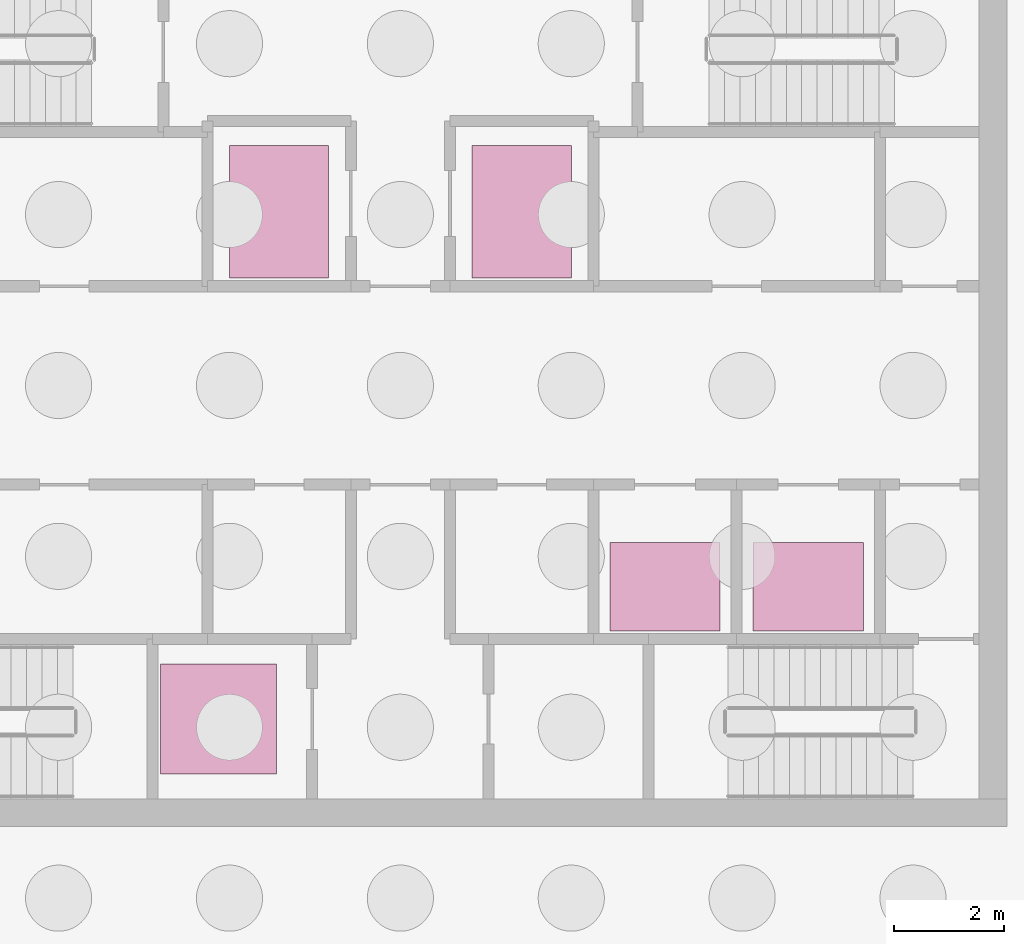
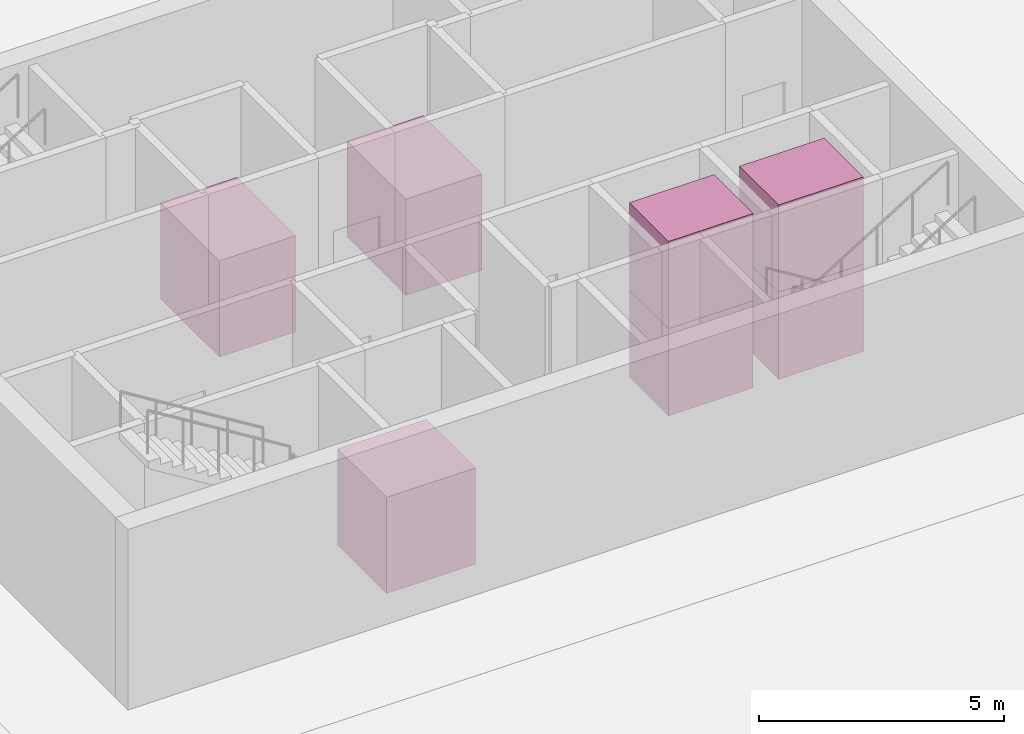
# One storey, part 8 of 8: 7 transport elements.
"""IFC4 building model written with IfcOpenShell, lengths in metres."""

from ifc_helpers import new_model, si_unit, direction, frame, origin, origin_2d, place, context, subcontext, project, spatial, rectangle, extrude, material, type_object, element, save


model = new_model("IFC4")

# Units and contexts
model_context = context("Model", 3, precision=1e-05, world=origin(), true_north=direction((0.0, 1.0)))
body_context = subcontext(model_context, "Body", "Model", "MODEL_VIEW")
ifc_project = project(units=[si_unit("LENGTHUNIT", "METRE"), si_unit("AREAUNIT", "SQUARE_METRE"), si_unit("VOLUMEUNIT", "CUBIC_METRE"), si_unit("PLANEANGLEUNIT", "RADIAN"), si_unit("MASSUNIT", "GRAM", prefix="KILO")], contexts=[model_context])

# Site, building, storey
site_placement = place(None, origin())
site = spatial("IfcSite", under=ifc_project, at=site_placement, CompositionType="ELEMENT")
building_placement = place(site_placement, origin())
building = spatial("IfcBuilding", under=site, at=building_placement, Name="Sierra Prisma Convention Tower", CompositionType="ELEMENT")
storey_placement = place(building_placement, frame((0.0, 0.0, -9.0)))
storey = spatial("IfcBuildingStorey", under=building, at=storey_placement, Name="B2", CompositionType="ELEMENT", Elevation=-9.0)

# Transport elements
ifc_material_1 = material(Name="Stainless steel", Category="steel")
transport_element_type_1 = type_object("IfcTransportElementType", Name="Lift car firefighting 1800x2400 2100 kg", PredefinedType="ELEVATOR", material=ifc_material_1)
for number, where, z_axis, x_axis, name in (
    (1, (-2.199951171875, 3.14990234375, 0.0), (0.0, 0.0, 1.0), (1.0, 0.0, 0.0), "Lift FF1"),
    (2, (2.199951171875, 3.14990234375, 0.0), (0.0, 0.0, 1.0), (1.0, 0.0, 0.0), "Lift FF2"),
):
    element("IfcTransportElement", number, at=place(storey_placement, frame(where, z_axis=z_axis, x_axis=x_axis)), inside=storey, type_object=transport_element_type_1, Name=name, PredefinedType="ELEVATOR", context=body_context, shape_type="SweptSolid", body=[
        extrude(rectangle(XDim=1.800048828125, YDim=2.39990234375, at=origin_2d()), origin(), (0.0, 0.0, 1.0), 2.39990234375),
    ])
ifc_material_2 = material(Name="Stainless steel", Category="steel")
transport_element_type_2 = type_object("IfcTransportElementType", Name="Lift car garage 2000x1600 1600 kg", PredefinedType="ELEVATOR", material=ifc_material_2)
for number, where, z_axis, x_axis, name in (
    (3, (4.800048828125, -3.64990234375, 0.0), (0.0, 0.0, 1.0), (1.0, 0.0, 0.0), "Lift GL1"),
    (4, (4.800048828125, -3.64990234375, 2.1748046875), (0.0, 0.0, 1.0), (1.0, 0.0, 0.0), "Lift GL1"),
    (5, (7.39990234375, -3.64990234375, 0.0), (0.0, 0.0, 1.0), (1.0, 0.0, 0.0), "Lift GL2"),
    (6, (7.39990234375, -3.64990234375, 2.1748046875), (0.0, 0.0, 1.0), (1.0, 0.0, 0.0), "Lift GL2"),
):
    element("IfcTransportElement", number, at=place(storey_placement, frame(where, z_axis=z_axis, x_axis=x_axis)), inside=storey, type_object=transport_element_type_2, Name=name, PredefinedType="ELEVATOR", context=body_context, shape_type="SweptSolid", body=[
        extrude(rectangle(XDim=2.0, YDim=1.60009765625, at=origin_2d()), origin(), (0.0, 0.0, 1.0), 2.175048828125),
    ])
ifc_material_3 = material(Name="Stainless steel", Category="steel")
transport_element_type_3 = type_object("IfcTransportElementType", Name="Lift car service 2000x2100 2000 kg", PredefinedType="ELEVATOR", material=ifc_material_3)
transport_element_placement = place(storey_placement, frame((-3.300048828125, -6.050048828125, 0.0), z_axis=(0.0, 0.0, 1.0), x_axis=(1.0, 0.0, 0.0)))
element("IfcTransportElement", 7, at=transport_element_placement, inside=storey, type_object=transport_element_type_3, Name="Lift SV", PredefinedType="ELEVATOR", context=body_context, shape_type="SweptSolid", body=[
    extrude(rectangle(XDim=2.10009765625, YDim=2.0, at=origin_2d()), origin(), (0.0, 0.0, 1.0), 2.39990234375),
])

save(model, "model.ifc")
